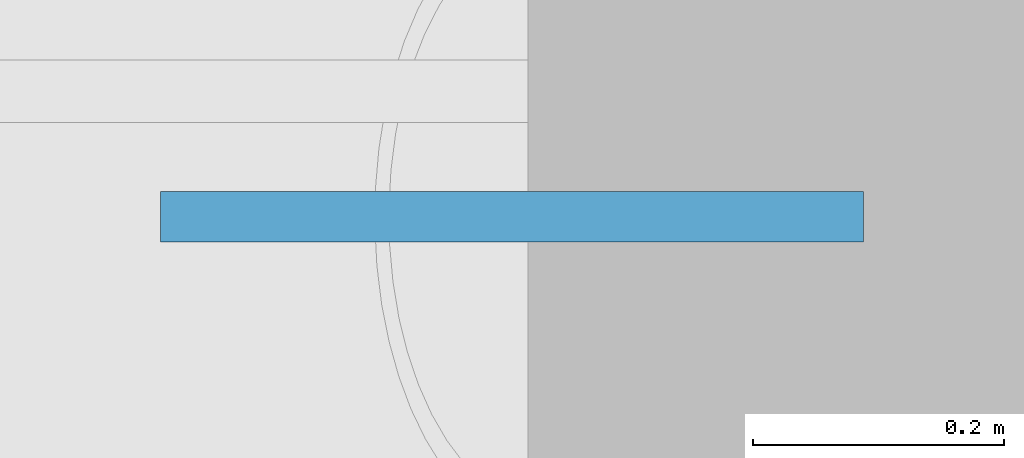
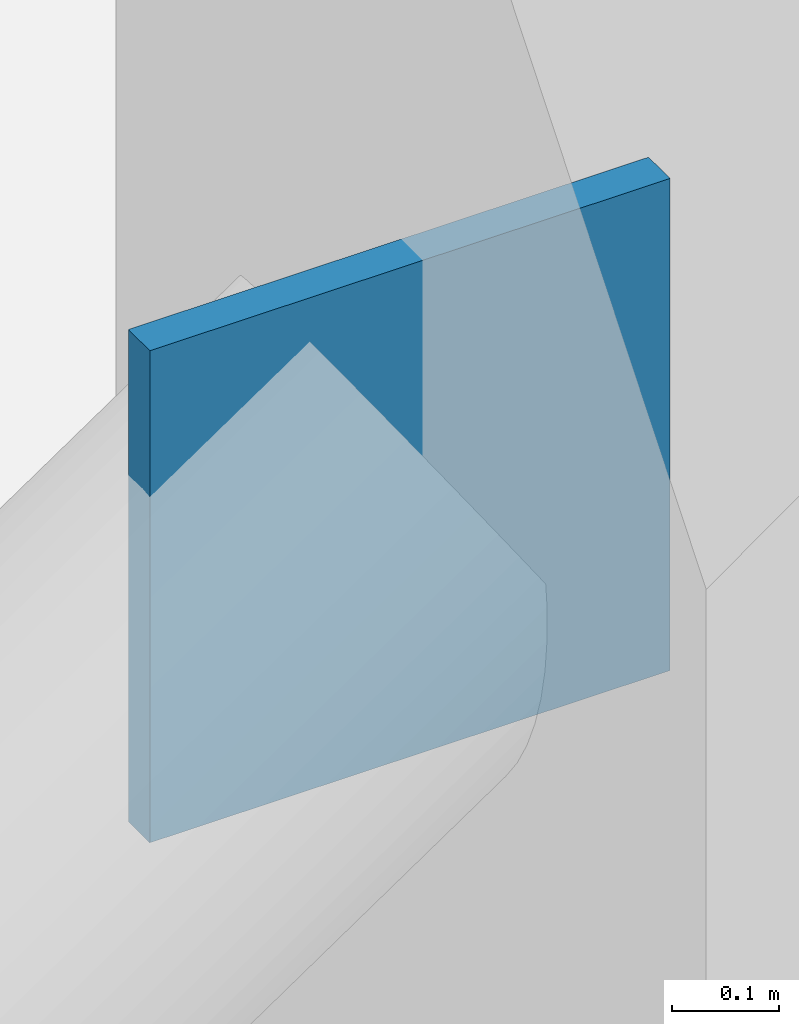
# One storey, part 9 of 18: 1 plate.
"""IFC4 building model written with IfcOpenShell, lengths in metres."""

from ifc_helpers import new_model, si_unit, direction, frame, origin, origin_2d, place, context, subcontext, project, spatial, rectangle, extrude, material, layer, layer_set, type_object, element, save


model = new_model("IFC4")

# Units and contexts
model_context = context("Model", 3, precision=1e-05, world=origin(), true_north=direction((0.0, 1.0)))
body_context = subcontext(model_context, "Body", "Model", "MODEL_VIEW")
ifc_project = project(units=[si_unit("LENGTHUNIT", "METRE"), si_unit("AREAUNIT", "SQUARE_METRE"), si_unit("VOLUMEUNIT", "CUBIC_METRE"), si_unit("PLANEANGLEUNIT", "RADIAN"), si_unit("MASSUNIT", "GRAM", prefix="KILO")], contexts=[model_context])

# Site, building, storey
site_placement = place(None, origin())
site = spatial("IfcSite", under=ifc_project, at=site_placement, CompositionType="ELEMENT")
building_placement = place(site_placement, origin())
building = spatial("IfcBuilding", under=site, at=building_placement, Name="Koriwani Terraces Tower", CompositionType="ELEMENT")
storey_placement = place(building_placement, frame((0.0, 0.0, 228.199951171875)))
storey = spatial("IfcBuildingStorey", under=building, at=storey_placement, Name="L56", CompositionType="ELEMENT", Elevation=228.199951171875)

# Plate
ifc_material = material(Name="Steel ASTM A572 Grade 50", Category="steel")
ifc_layer = layer(ifc_material, 0.0400390625, Name="Steel ASTM A572 Grade 50")
ifc_layer_set = layer_set([ifc_layer], Name="Steel ASTM A572 Grade 50")
plate_type = type_object("IfcPlateType", Name="STEEL_GUSSET_PLATE_40", PredefinedType="USERDEFINED", material=ifc_layer_set)
plate_placement = place(storey_placement, frame((66.636962890625, 0.0, 4.917724609375), z_axis=(0.0, 0.0, 1.0), x_axis=(1.0, 0.0, 0.0)))
element("IfcPlate", 1, at=plate_placement, inside=storey, type_object=plate_type, Name="Brace Node Gusset Plate BT-L56-BS4", ObjectType="GUSSET_PLATE", PredefinedType="USERDEFINED", context=body_context, shape_type="SweptSolid", body=[
    extrude(rectangle(XDim=0.56005859375, YDim=0.0400390625, at=origin_2d()), origin(), (0.0, 0.0, 1.0), 0.56005859375),
])

save(model, "model.ifc")
